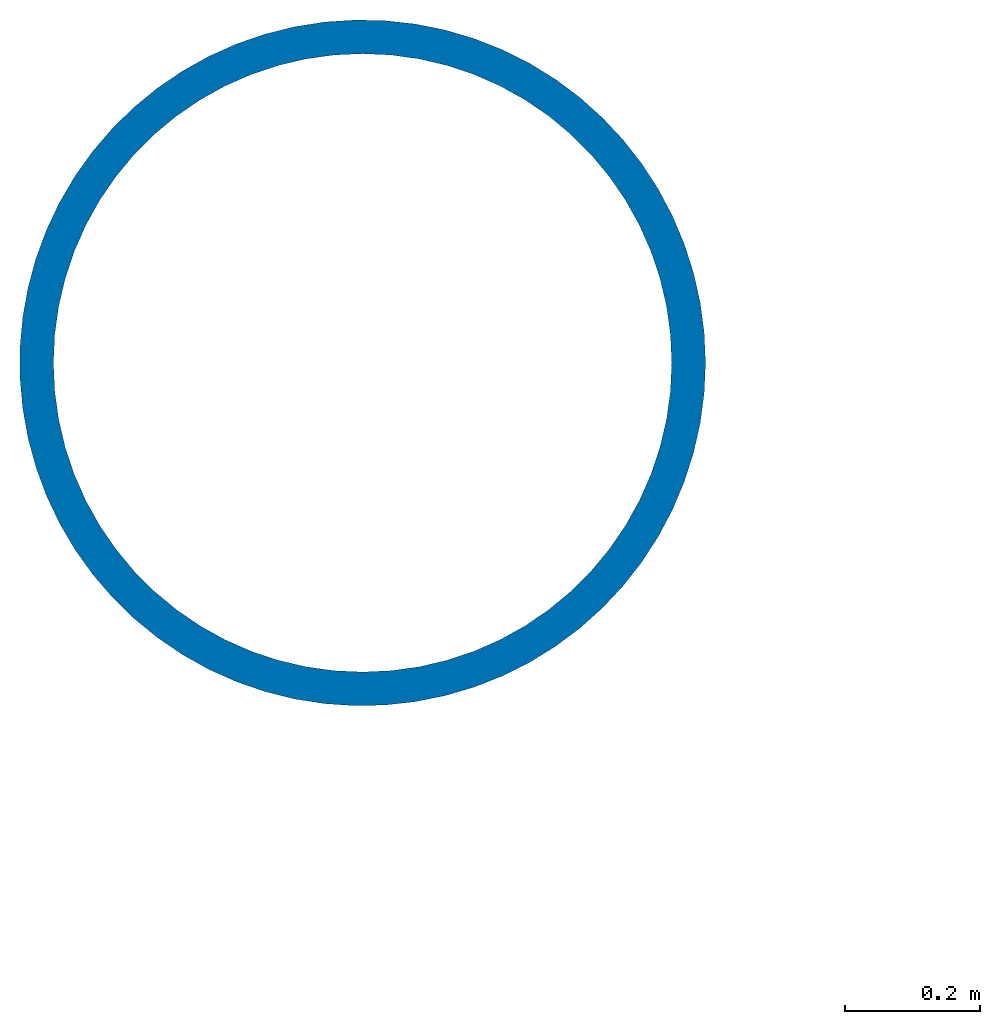
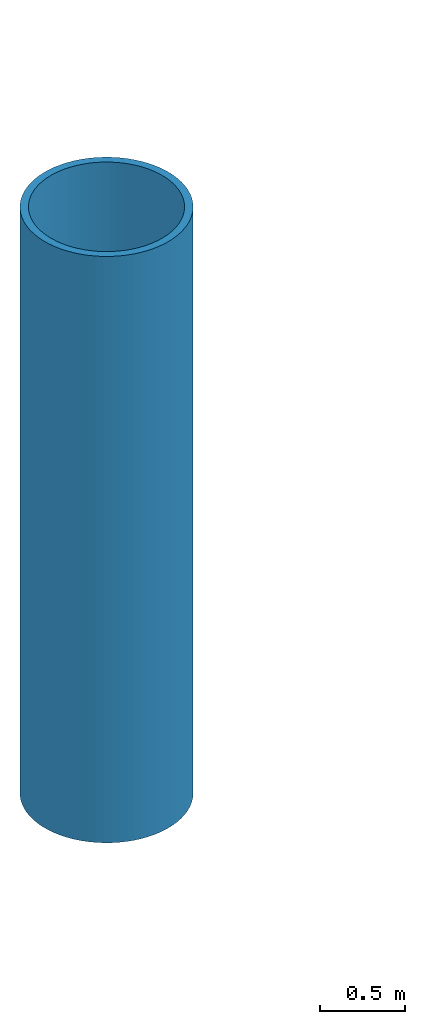
# One storey, part 5 of 20: 1 column.
"""IFC4 building model written with IfcOpenShell, lengths in metres."""

from ifc_helpers import new_model, si_unit, direction, frame, origin, origin_2d, place, context, subcontext, project, spatial, hollow_circle, extrude, material, material_profile, profile_set, type_object, element, save


model = new_model("IFC4")

# Units and contexts
model_context = context("Model", 3, precision=1e-05, world=origin(), true_north=direction((0.0, 1.0)))
body_context = subcontext(model_context, "Body", "Model", "MODEL_VIEW")
ifc_project = project(units=[si_unit("LENGTHUNIT", "METRE"), si_unit("AREAUNIT", "SQUARE_METRE"), si_unit("VOLUMEUNIT", "CUBIC_METRE"), si_unit("PLANEANGLEUNIT", "RADIAN"), si_unit("MASSUNIT", "GRAM", prefix="KILO")], contexts=[model_context])

# Site, building, storey
site_placement = place(None, origin())
site = spatial("IfcSite", under=ifc_project, at=site_placement, CompositionType="ELEMENT")
building_placement = place(site_placement, origin())
building = spatial("IfcBuilding", under=site, at=building_placement, Name="Cresset Court Congress Hotel", CompositionType="ELEMENT")
storey_placement = place(building_placement, frame((0.0, 0.0, 27.0)))
storey = spatial("IfcBuildingStorey", under=building, at=storey_placement, Name="L06", CompositionType="ELEMENT", Elevation=27.0)

# Column
ifc_material = material(Name="Structural steel Q355B", Category="steel")
ifc_material_profile = material_profile(ifc_material, hollow_circle(Radius=0.508056640625, WallThickness=0.050048828125, at=origin_2d()), Name="CHS1016x50")
ifc_profile_set = profile_set([ifc_material_profile], Name="Structural steel Q355B")
column_type = type_object("IfcColumnType", Name="Mast tube 1016x50", PredefinedType="COLUMN", material=ifc_profile_set)
column_placement = place(storey_placement, frame((55.800048828125, 120.60009765625, 0.0), z_axis=(0.0, 0.0, 1.0), x_axis=(1.0, 0.0, 0.0)))
element("IfcColumn", 1, at=column_placement, inside=storey, type_object=column_type, Name="Mast M4", PredefinedType="COLUMN", context=body_context, shape_type="SweptSolid", body=[
    extrude(hollow_circle(Radius=0.508056640625, WallThickness=0.050048828125, at=origin_2d()), origin(), (0.0, 0.0, 1.0), 4.199951171875),
])

save(model, "model.ifc")
